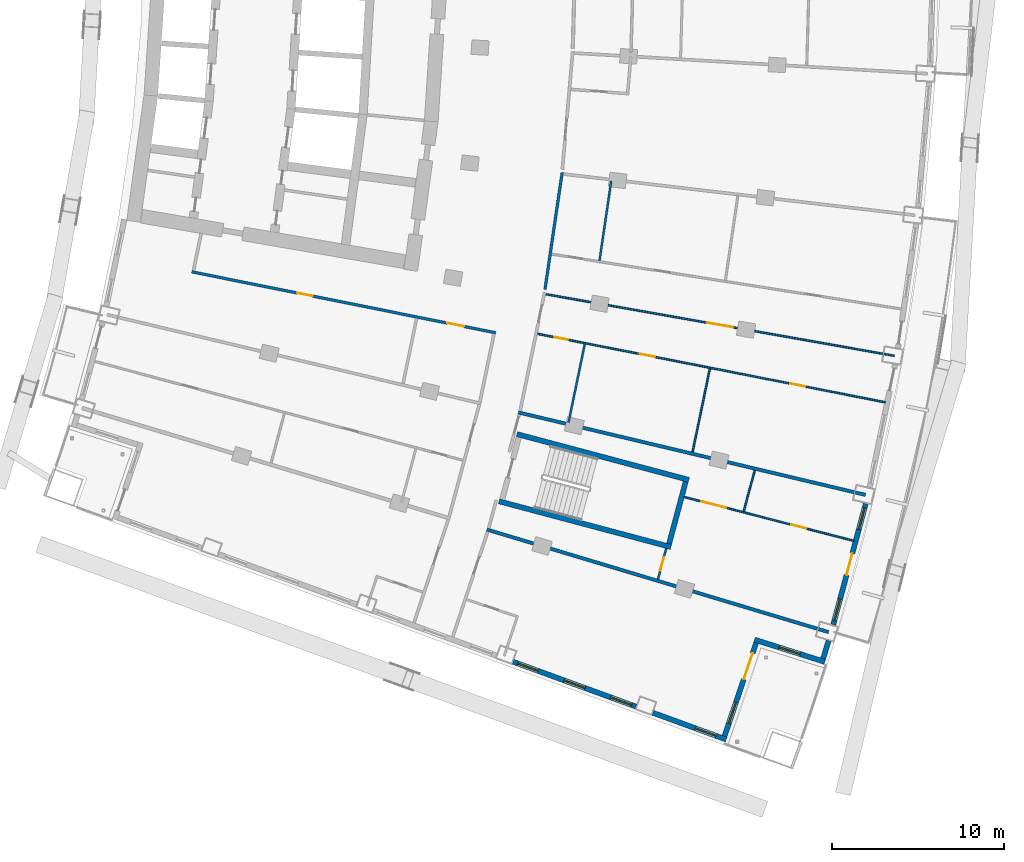
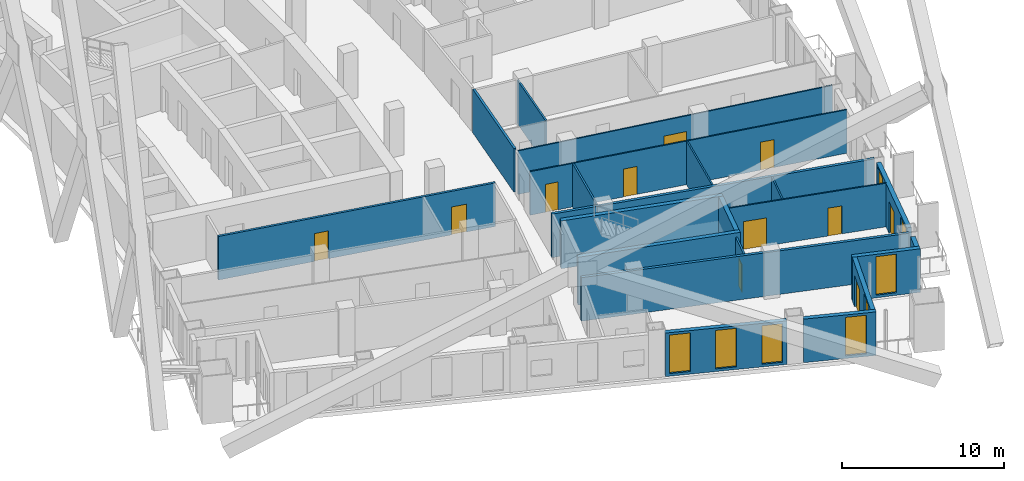
# One storey, part 15 of 26: 21 walls, 11 doors, 8 windows, 19 openings.
"""IFC4 building model written with IfcOpenShell, lengths in metres."""

from ifc_helpers import new_model, si_unit, direction, frame, frame_2d, origin, place, context, subcontext, project, spatial, rectangle, extrude, material, layer, layer_set, type_object, element, fill, save


model = new_model("IFC4")

# Units and contexts
model_context = context("Model", 3, precision=1e-05, world=origin(), true_north=direction((0.0, 1.0)))
body_context = subcontext(model_context, "Body", "Model", "MODEL_VIEW")
ifc_project = project(units=[si_unit("LENGTHUNIT", "METRE"), si_unit("AREAUNIT", "SQUARE_METRE"), si_unit("VOLUMEUNIT", "CUBIC_METRE"), si_unit("PLANEANGLEUNIT", "RADIAN"), si_unit("MASSUNIT", "GRAM", prefix="KILO")], contexts=[model_context])

# Site, building, storey
site_placement = place(None, origin())
site = spatial("IfcSite", under=ifc_project, at=site_placement, CompositionType="ELEMENT")
building_placement = place(site_placement, origin())
building = spatial("IfcBuilding", under=site, at=building_placement, Name="Alderwake Tower", CompositionType="ELEMENT")
storey_placement = place(building_placement, frame((0.0, 0.0, 82.39990234375)))
storey = spatial("IfcBuildingStorey", under=building, at=storey_placement, Name="L19", CompositionType="ELEMENT", Elevation=82.39990234375)

# Walls
ifc_material_1 = material(Name="Concrete C70/85", Category="concrete")
ifc_layer_1 = layer(ifc_material_1, 0.300048828125)
ifc_layer_set_1 = layer_set([ifc_layer_1], Name="Core wall stair enclosure 300 C70-85")
wall_type_1 = type_object("IfcWallType", Name="Core wall stair enclosure 300 C70-85", PredefinedType="SHEAR", material=ifc_layer_set_1)
for number, where, z_axis, x_axis, name in (
    (1, (37.75390625, 31.731201171875, 0.0), (0.0, 0.0, 1.0), (0.966309214305, -0.257383958996, 0.0), "Core wall CW.086"),
    (2, (36.71142578125, 27.817626953125, 0.0), (0.0, 0.0, 1.0), (0.966309214305, -0.257383958996, 0.0), "Core wall CW.088"),
):
    element("IfcWall", number, at=place(storey_placement, frame(where, z_axis=z_axis, x_axis=x_axis)), inside=storey, type_object=wall_type_1, Name=name, PredefinedType="SHEAR", context=body_context, shape_type="SweptSolid", body=[
        extrude(rectangle(XDim=10.360107421875, YDim=0.300048828125, at=frame_2d((5.18017578125, 0.0))), origin(), (0.0, 0.0, 1.0), 3.60009765625),
    ])
wall_1_placement = place(storey_placement, frame((46.6162109375, 25.334716796875, 0.0), z_axis=(0.0, 0.0, 1.0), x_axis=(0.257366821694, 0.966313778796, 0.0)))
element("IfcWall", 3, at=wall_1_placement, inside=storey, type_object=wall_type_1, Name="Core wall CW.085", PredefinedType="SHEAR", context=body_context, shape_type="SweptSolid", body=[
    extrude(rectangle(XDim=3.749755859375, YDim=0.300048828125, at=frame_2d((1.875, 0.0))), origin(), (0.0, 0.0, 1.0), 3.60009765625),
])

# Wall, openings, doors
ifc_material_2 = material(Name="Gypsum board on metal studs, rated")
ifc_layer_2 = layer(ifc_material_2, 0.159912109375)
ifc_layer_set_2 = layer_set([ifc_layer_2], Name="Corridor wall 160")
wall_type_2 = type_object("IfcWallType", Name="Corridor wall 160", PredefinedType="PARTITIONING", material=ifc_layer_set_2)
wall_2_placement = place(storey_placement, frame((36.513427734375, 37.63427734375, 0.0), z_axis=(0.0, 0.0, 1.0), x_axis=(-0.980470254867, 0.1966674333, 0.0)))
wall_2 = element("IfcWall", 4, at=wall_2_placement, inside=storey, type_object=wall_type_2, Name="WL/L19/W17", PredefinedType="PARTITIONING", context=body_context, shape_type="SweptSolid", body=[
    extrude(rectangle(XDim=18.053466796875, YDim=0.159912109375, at=frame_2d((9.02685546875, 0.0))), origin(), (0.0, 0.0, 1.0), 3.280029296875),
])
opening_1_placement = place(wall_2_placement, frame((10.876708984375, 0.0, 0.0)))
opening_1 = element("IfcOpeningElement", 5, at=opening_1_placement, cuts=wall_2, Name="Opening R05-SBS1", PredefinedType="OPENING", context=body_context, shape_type="SweptSolid", body=[
    extrude(rectangle(XDim=0.89990234375, YDim=2.10009765625, at=frame_2d((0.449951171875, 1.050048828125))), frame((0.0, 0.08984375, 0.0), z_axis=(0.0, -1.0, 0.0), x_axis=(1.0, 0.0, 0.0)), (0.0, 0.0, 1.0), 0.179931640625),
])
opening_2_placement = place(wall_2_placement, frame((1.880615234375, 0.0, 0.0)))
opening_2 = element("IfcOpeningElement", 6, at=opening_2_placement, cuts=wall_2, Name="Opening R05-SBS2", PredefinedType="OPENING", context=body_context, shape_type="SweptSolid", body=[
    extrude(rectangle(XDim=1.0, YDim=2.10009765625, at=frame_2d((0.5, 1.050048828125))), frame((0.0, 0.08984375, 0.0), z_axis=(0.0, -1.0, 0.0), x_axis=(1.0, 0.0, 0.0)), (0.0, 0.0, 1.0), 0.179931640625),
])
ifc_material_3 = material(Name="Steel-framed fire door leaf", Category="steel")
door_type_1 = type_object("IfcDoorType", Name="Plant room door 1000 fire-rated", OperationType="SINGLE_SWING_LEFT", PredefinedType="DOOR", material=ifc_material_3)
door_1_placement = place(opening_2_placement, origin())
door_1 = element("IfcDoor", 7, at=door_1_placement, inside=storey, type_object=door_type_1, Name="DR/L19/SBS2", OperationType="SINGLE_SWING_LEFT", OverallHeight=2.10009765625, OverallWidth=1.0, PredefinedType="DOOR", context=body_context, shape_type="SweptSolid", body=[
    extrude(rectangle(XDim=1.0, YDim=2.10009765625, at=frame_2d((0.5, 1.050048828125))), frame((0.0, 0.02490234375, 0.0), z_axis=(0.0, -1.0, 0.0), x_axis=(1.0, 0.0, 0.0)), (0.0, 0.0, 1.0), 0.050048828125),
])
fill(opening_2, door_1)
ifc_material_4 = material(Name="Painted timber leaf", Category="wood")
door_type_2 = type_object("IfcDoorType", Name="Room door 900", OperationType="SINGLE_SWING_LEFT", PredefinedType="DOOR", material=ifc_material_4)
door_2_placement = place(opening_1_placement, origin())
door_2 = element("IfcDoor", 8, at=door_2_placement, inside=storey, type_object=door_type_2, Name="DR/L19/SBS1", OperationType="SINGLE_SWING_LEFT", OverallHeight=2.10009765625, OverallWidth=0.89990234375, PredefinedType="DOOR", context=body_context, shape_type="SweptSolid", body=[
    extrude(rectangle(XDim=0.89990234375, YDim=2.10009765625, at=frame_2d((0.449951171875, 1.050048828125))), frame((0.0, 0.02490234375, 0.0), z_axis=(0.0, -1.0, 0.0), x_axis=(1.0, 0.0, 0.0)), (0.0, 0.0, 1.0), 0.050048828125),
])
fill(opening_1, door_2)

# Walls
wall_3_placement = place(storey_placement, frame((39.38671875, 40.160888671875, 0.0), z_axis=(0.0, 0.0, 1.0), x_axis=(0.145535848078, 0.989352978933, 0.0)))
element("IfcWall", 9, at=wall_3_placement, inside=storey, type_object=wall_type_2, Name="WL/L19/W34", PredefinedType="PARTITIONING", context=body_context, shape_type="SweptSolid", body=[
    extrude(rectangle(XDim=6.884521484375, YDim=0.159912109375, at=frame_2d((3.4423828125, 0.0))), origin(), (0.0, 0.0, 1.0), 3.280029296875),
])
ifc_material_5 = material(Name="Precast concrete C50/60 spandrel panel", Category="concrete")
ifc_layer_3 = layer(ifc_material_5, 0.300048828125)
ifc_layer_set_3 = layer_set([ifc_layer_3], Name="External wall EW1 Precast concrete C50/60 spandrel")
wall_type_3 = type_object("IfcWallType", Name="External wall EW1 Precast concrete C50/60 spandrel", PredefinedType="SOLIDWALL", material=ifc_layer_set_3)
wall_4_placement = place(storey_placement, frame((55.587890625, 18.65185546875, 0.0), z_axis=(0.0, 0.0, 1.0), x_axis=(0.294384726771, 0.955686995121, 0.0)))
element("IfcWall", 10, at=wall_4_placement, inside=storey, type_object=wall_type_3, Name="External wall 11", PredefinedType="SOLIDWALL", context=body_context, shape_type="SweptSolid", body=[
    extrude(rectangle(XDim=1.090576171875, YDim=0.300048828125, at=frame_2d((0.54541015625, 0.0))), origin(), (0.0, 0.0, 1.0), 3.280029296875),
])

# Wall, openings, door, windows
wall_5_placement = place(storey_placement, frame((56.18017578125, 20.635498046875, 0.0), z_axis=(0.0, 0.0, 1.0), x_axis=(0.259478431082, 0.965748903082, 0.0)))
wall_5 = element("IfcWall", 11, at=wall_5_placement, inside=storey, type_object=wall_type_3, Name="External wall 12", PredefinedType="SOLIDWALL", context=body_context, shape_type="SweptSolid", body=[
    extrude(rectangle(XDim=7.287109375, YDim=0.300048828125, at=frame_2d((3.6435546875, 0.0))), origin(), (0.0, 0.0, 1.0), 3.280029296875),
])
opening_3_placement = place(wall_5_placement, frame((0.23681640625, 0.0, 0.199951171875)))
opening_3 = element("IfcOpeningElement", 12, at=opening_3_placement, cuts=wall_5, Name="Opening W1", PredefinedType="OPENING", context=body_context, shape_type="SweptSolid", body=[
    extrude(rectangle(XDim=1.300048828125, YDim=2.89990234375, at=frame_2d((0.64990234375, 1.449951171875))), frame((0.0, 0.159912109375, 0.0), z_axis=(0.0, -1.0, 0.0), x_axis=(1.0, 0.0, 0.0)), (0.0, 0.0, 1.0), 0.320068359375),
])
opening_4_placement = place(wall_5_placement, frame((2.99365234375, 0.0, 0.0)))
opening_4 = element("IfcOpeningElement", 13, at=opening_4_placement, cuts=wall_5, Name="Opening D03", PredefinedType="OPENING", context=body_context, shape_type="SweptSolid", body=[
    extrude(rectangle(XDim=1.300048828125, YDim=2.39990234375, at=frame_2d((0.64990234375, 1.199951171875))), frame((0.0, 0.159912109375, 0.0), z_axis=(0.0, -1.0, 0.0), x_axis=(1.0, 0.0, 0.0)), (0.0, 0.0, 1.0), 0.320068359375),
])
opening_5_placement = place(wall_5_placement, frame((5.75048828125, 0.0, 0.199951171875)))
opening_5 = element("IfcOpeningElement", 14, at=opening_5_placement, cuts=wall_5, Name="Opening W1", PredefinedType="OPENING", context=body_context, shape_type="SweptSolid", body=[
    extrude(rectangle(XDim=1.300048828125, YDim=2.89990234375, at=frame_2d((0.64990234375, 1.449951171875))), frame((0.0, 0.159912109375, 0.0), z_axis=(0.0, -1.0, 0.0), x_axis=(1.0, 0.0, 0.0)), (0.0, 0.0, 1.0), 0.320068359375),
])
ifc_material_6 = material(Name="Bronze tinted glass in aluminium frame", Category="aluminium")
door_type_3 = type_object("IfcDoorType", Name="Balcony door BD sliding", OperationType="SLIDING_TO_LEFT", PredefinedType="DOOR", material=ifc_material_6)
door_3_placement = place(opening_4_placement, origin())
door_3 = element("IfcDoor", 15, at=door_3_placement, inside=storey, type_object=door_type_3, Name="Door D03", OperationType="SLIDING_TO_LEFT", OverallHeight=2.39990234375, OverallWidth=1.300048828125, PredefinedType="DOOR", context=body_context, shape_type="SweptSolid", body=[
    extrude(rectangle(XDim=1.300048828125, YDim=2.39990234375, at=frame_2d((0.64990234375, 1.199951171875))), frame((0.0, 0.02490234375, 0.0), z_axis=(0.0, -1.0, 0.0), x_axis=(1.0, 0.0, 0.0)), (0.0, 0.0, 1.0), 0.050048828125),
])
fill(opening_4, door_3)
ifc_material_7 = material(Name="Bronze tinted glass in aluminium frame", Category="aluminium")
window_type = type_object("IfcWindowType", Name="Window W1 tall fixed and vent", PartitioningType="DOUBLE_PANEL_VERTICAL", PredefinedType="WINDOW", material=ifc_material_7)
window_1_placement = place(opening_3_placement, origin())
window_1 = element("IfcWindow", 16, at=window_1_placement, inside=storey, type_object=window_type, Name="Window W1 tall fixed and vent", OverallHeight=2.89990234375, OverallWidth=1.300048828125, PartitioningType="DOUBLE_PANEL_VERTICAL", PredefinedType="WINDOW", context=body_context, shape_type="SweptSolid", body=[
    extrude(rectangle(XDim=1.300048828125, YDim=2.89990234375, at=frame_2d((0.64990234375, 1.449951171875))), frame((0.0, 0.030029296875, 0.0), z_axis=(0.0, -1.0, 0.0), x_axis=(1.0, 0.0, 0.0)), (0.0, 0.0, 1.0), 0.06005859375),
])
fill(opening_3, window_1)
window_2_placement = place(opening_5_placement, origin())
window_2 = element("IfcWindow", 17, at=window_2_placement, inside=storey, type_object=window_type, Name="Window W1 tall fixed and vent", OverallHeight=2.89990234375, OverallWidth=1.300048828125, PartitioningType="DOUBLE_PANEL_VERTICAL", PredefinedType="WINDOW", context=body_context, shape_type="SweptSolid", body=[
    extrude(rectangle(XDim=1.300048828125, YDim=2.89990234375, at=frame_2d((0.64990234375, 1.449951171875))), frame((0.0, 0.030029296875, 0.0), z_axis=(0.0, -1.0, 0.0), x_axis=(1.0, 0.0, 0.0)), (0.0, 0.0, 1.0), 0.06005859375),
])
fill(opening_5, window_2)

# Wall, openings, windows
ifc_material_8 = material(Name="Bronze metal cladding on lightweight framing")
ifc_layer_4 = layer(ifc_material_8, 0.300048828125)
ifc_layer_set_4 = layer_set([ifc_layer_4], Name="External wall EW2 bronze metal cladding")
wall_type_4 = type_object("IfcWallType", Name="External wall EW2 bronze metal cladding", PredefinedType="SOLIDWALL", material=ifc_layer_set_4)
wall_6_placement = place(storey_placement, frame((37.534423828125, 18.46923828125, 0.0), z_axis=(0.0, 0.0, 1.0), x_axis=(0.939373225656, -0.342896402606, 0.0)))
wall_6 = element("IfcWall", 18, at=wall_6_placement, inside=storey, type_object=wall_type_4, Name="External wall 7", PredefinedType="SOLIDWALL", context=body_context, shape_type="SweptSolid", body=[
    extrude(rectangle(XDim=7.612548828125, YDim=0.300048828125, at=frame_2d((3.80615234375, 0.0))), origin(), (0.0, 0.0, 1.0), 3.280029296875),
])
opening_6_placement = place(wall_6_placement, frame((0.267333984375, 0.0, 0.199951171875)))
opening_6 = element("IfcOpeningElement", 19, at=opening_6_placement, cuts=wall_6, Name="Opening W1", PredefinedType="OPENING", context=body_context, shape_type="SweptSolid", body=[
    extrude(rectangle(XDim=1.300048828125, YDim=2.89990234375, at=frame_2d((0.64990234375, 1.449951171875))), frame((0.0, 0.159912109375, 0.0), z_axis=(0.0, -1.0, 0.0), x_axis=(1.0, 0.0, 0.0)), (0.0, 0.0, 1.0), 0.320068359375),
])
opening_7_placement = place(wall_6_placement, frame((3.15625, 0.0, 0.199951171875)))
opening_7 = element("IfcOpeningElement", 20, at=opening_7_placement, cuts=wall_6, Name="Opening W1", PredefinedType="OPENING", context=body_context, shape_type="SweptSolid", body=[
    extrude(rectangle(XDim=1.300048828125, YDim=2.89990234375, at=frame_2d((0.64990234375, 1.449951171875))), frame((0.0, 0.159912109375, 0.0), z_axis=(0.0, -1.0, 0.0), x_axis=(1.0, 0.0, 0.0)), (0.0, 0.0, 1.0), 0.320068359375),
])
opening_8_placement = place(wall_6_placement, frame((6.045166015625, 0.0, 0.199951171875)))
opening_8 = element("IfcOpeningElement", 21, at=opening_8_placement, cuts=wall_6, Name="Opening W1", PredefinedType="OPENING", context=body_context, shape_type="SweptSolid", body=[
    extrude(rectangle(XDim=1.300048828125, YDim=2.89990234375, at=frame_2d((0.64990234375, 1.449951171875))), frame((0.0, 0.159912109375, 0.0), z_axis=(0.0, -1.0, 0.0), x_axis=(1.0, 0.0, 0.0)), (0.0, 0.0, 1.0), 0.320068359375),
])
window_3_placement = place(opening_6_placement, origin())
window_3 = element("IfcWindow", 22, at=window_3_placement, inside=storey, type_object=window_type, Name="Window W1 tall fixed and vent", OverallHeight=2.89990234375, OverallWidth=1.300048828125, PartitioningType="DOUBLE_PANEL_VERTICAL", PredefinedType="WINDOW", context=body_context, shape_type="SweptSolid", body=[
    extrude(rectangle(XDim=1.300048828125, YDim=2.89990234375, at=frame_2d((0.64990234375, 1.449951171875))), frame((0.0, 0.030029296875, 0.0), z_axis=(0.0, -1.0, 0.0), x_axis=(1.0, 0.0, 0.0)), (0.0, 0.0, 1.0), 0.06005859375),
])
fill(opening_6, window_3)
window_4_placement = place(opening_7_placement, origin())
window_4 = element("IfcWindow", 23, at=window_4_placement, inside=storey, type_object=window_type, Name="Window W1 tall fixed and vent", OverallHeight=2.89990234375, OverallWidth=1.300048828125, PartitioningType="DOUBLE_PANEL_VERTICAL", PredefinedType="WINDOW", context=body_context, shape_type="SweptSolid", body=[
    extrude(rectangle(XDim=1.300048828125, YDim=2.89990234375, at=frame_2d((0.64990234375, 1.449951171875))), frame((0.0, 0.030029296875, 0.0), z_axis=(0.0, -1.0, 0.0), x_axis=(1.0, 0.0, 0.0)), (0.0, 0.0, 1.0), 0.06005859375),
])
fill(opening_7, window_4)
window_5_placement = place(opening_8_placement, origin())
window_5 = element("IfcWindow", 24, at=window_5_placement, inside=storey, type_object=window_type, Name="Window W1 tall fixed and vent", OverallHeight=2.89990234375, OverallWidth=1.300048828125, PartitioningType="DOUBLE_PANEL_VERTICAL", PredefinedType="WINDOW", context=body_context, shape_type="SweptSolid", body=[
    extrude(rectangle(XDim=1.300048828125, YDim=2.89990234375, at=frame_2d((0.64990234375, 1.449951171875))), frame((0.0, 0.030029296875, 0.0), z_axis=(0.0, -1.0, 0.0), x_axis=(1.0, 0.0, 0.0)), (0.0, 0.0, 1.0), 0.06005859375),
])
fill(opening_8, window_5)

# Wall, opening, window
wall_7_placement = place(storey_placement, frame((45.675537109375, 15.49755859375, 0.0), z_axis=(0.0, 0.0, 1.0), x_axis=(0.939362271598, -0.342926410032, 0.0)))
wall_7 = element("IfcWall", 25, at=wall_7_placement, inside=storey, type_object=wall_type_4, Name="External wall 8", PredefinedType="SOLIDWALL", context=body_context, shape_type="SweptSolid", body=[
    extrude(rectangle(XDim=4.537841796875, YDim=0.300048828125, at=frame_2d((2.26904296875, 0.0))), origin(), (0.0, 0.0, 1.0), 3.280029296875),
])
opening_9_placement = place(wall_7_placement, frame((2.62158203125, 0.0, 0.199951171875)))
opening_9 = element("IfcOpeningElement", 26, at=opening_9_placement, cuts=wall_7, Name="Opening W1", PredefinedType="OPENING", context=body_context, shape_type="SweptSolid", body=[
    extrude(rectangle(XDim=1.300048828125, YDim=2.89990234375, at=frame_2d((0.64990234375, 1.449951171875))), frame((0.0, 0.159912109375, 0.0), z_axis=(0.0, -1.0, 0.0), x_axis=(1.0, 0.0, 0.0)), (0.0, 0.0, 1.0), 0.320068359375),
])
window_6_placement = place(opening_9_placement, origin())
window_6 = element("IfcWindow", 27, at=window_6_placement, inside=storey, type_object=window_type, Name="Window W1 tall fixed and vent", OverallHeight=2.89990234375, OverallWidth=1.300048828125, PartitioningType="DOUBLE_PANEL_VERTICAL", PredefinedType="WINDOW", context=body_context, shape_type="SweptSolid", body=[
    extrude(rectangle(XDim=1.300048828125, YDim=2.89990234375, at=frame_2d((0.64990234375, 1.449951171875))), frame((0.0, 0.030029296875, 0.0), z_axis=(0.0, -1.0, 0.0), x_axis=(1.0, 0.0, 0.0)), (0.0, 0.0, 1.0), 0.06005859375),
])
fill(opening_9, window_6)

# Wall, openings, door, window
wall_8_placement = place(storey_placement, frame((49.845458984375, 14.135009765625, 0.0), z_axis=(0.0, 0.0, 1.0), x_axis=(0.320869198021, 0.94712351769, 0.0)))
wall_8 = element("IfcWall", 28, at=wall_8_placement, inside=storey, type_object=wall_type_4, Name="External wall 9", PredefinedType="SOLIDWALL", context=body_context, shape_type="SweptSolid", body=[
    extrude(rectangle(XDim=5.7392578125, YDim=0.300048828125, at=frame_2d((2.86962890625, 0.0))), origin(), (0.0, 0.0, 1.0), 3.280029296875),
])
opening_10_placement = place(wall_8_placement, frame((0.784912109375, 0.0, 0.199951171875)))
opening_10 = element("IfcOpeningElement", 29, at=opening_10_placement, cuts=wall_8, Name="Opening W1", PredefinedType="OPENING", context=body_context, shape_type="SweptSolid", body=[
    extrude(rectangle(XDim=1.300048828125, YDim=2.89990234375, at=frame_2d((0.64990234375, 1.449951171875))), frame((0.0, 0.159912109375, 0.0), z_axis=(0.0, -1.0, 0.0), x_axis=(1.0, 0.0, 0.0)), (0.0, 0.0, 1.0), 0.320068359375),
])
opening_11_placement = place(wall_8_placement, frame((3.50439453125, 0.0, 0.0)))
opening_11 = element("IfcOpeningElement", 30, at=opening_11_placement, cuts=wall_8, Name="Opening D02", PredefinedType="OPENING", context=body_context, shape_type="SweptSolid", body=[
    extrude(rectangle(XDim=1.60009765625, YDim=2.39990234375, at=frame_2d((0.800048828125, 1.199951171875))), frame((0.0, 0.159912109375, 0.0), z_axis=(0.0, -1.0, 0.0), x_axis=(1.0, 0.0, 0.0)), (0.0, 0.0, 1.0), 0.320068359375),
])
ifc_material_9 = material(Name="Bronze tinted glass in aluminium frame", Category="aluminium")
door_type_4 = type_object("IfcDoorType", Name="Terrace door TD sliding", OperationType="SLIDING_TO_LEFT", PredefinedType="DOOR", material=ifc_material_9)
door_4_placement = place(opening_11_placement, origin())
door_4 = element("IfcDoor", 31, at=door_4_placement, inside=storey, type_object=door_type_4, Name="Door D02", OperationType="SLIDING_TO_LEFT", OverallHeight=2.39990234375, OverallWidth=1.60009765625, PredefinedType="DOOR", context=body_context, shape_type="SweptSolid", body=[
    extrude(rectangle(XDim=1.60009765625, YDim=2.39990234375, at=frame_2d((0.800048828125, 1.199951171875))), frame((0.0, 0.02490234375, 0.0), z_axis=(0.0, -1.0, 0.0), x_axis=(1.0, 0.0, 0.0)), (0.0, 0.0, 1.0), 0.050048828125),
])
fill(opening_11, door_4)
window_7_placement = place(opening_10_placement, origin())
window_7 = element("IfcWindow", 32, at=window_7_placement, inside=storey, type_object=window_type, Name="Window W1 tall fixed and vent", OverallHeight=2.89990234375, OverallWidth=1.300048828125, PartitioningType="DOUBLE_PANEL_VERTICAL", PredefinedType="WINDOW", context=body_context, shape_type="SweptSolid", body=[
    extrude(rectangle(XDim=1.300048828125, YDim=2.89990234375, at=frame_2d((0.64990234375, 1.449951171875))), frame((0.0, 0.030029296875, 0.0), z_axis=(0.0, -1.0, 0.0), x_axis=(1.0, 0.0, 0.0)), (0.0, 0.0, 1.0), 0.06005859375),
])
fill(opening_10, window_7)

# Wall, opening, window
wall_9_placement = place(storey_placement, frame((51.592041015625, 19.758056640625, 0.0), z_axis=(0.0, 0.0, 1.0), x_axis=(0.95345886453, -0.301523122911, 0.0)))
wall_9 = element("IfcWall", 33, at=wall_9_placement, inside=storey, type_object=wall_type_4, Name="External wall 10", PredefinedType="SOLIDWALL", context=body_context, shape_type="SweptSolid", body=[
    extrude(rectangle(XDim=4.294677734375, YDim=0.300048828125, at=frame_2d((2.1474609375, 0.0))), origin(), (0.0, 0.0, 1.0), 3.280029296875),
])
opening_12_placement = place(wall_9_placement, frame((1.497314453125, 0.0, 0.199951171875)))
opening_12 = element("IfcOpeningElement", 34, at=opening_12_placement, cuts=wall_9, Name="Opening W1", PredefinedType="OPENING", context=body_context, shape_type="SweptSolid", body=[
    extrude(rectangle(XDim=1.300048828125, YDim=2.89990234375, at=frame_2d((0.64990234375, 1.449951171875))), frame((0.0, 0.159912109375, 0.0), z_axis=(0.0, -1.0, 0.0), x_axis=(1.0, 0.0, 0.0)), (0.0, 0.0, 1.0), 0.320068359375),
])
window_8_placement = place(opening_12_placement, origin())
window_8 = element("IfcWindow", 35, at=window_8_placement, inside=storey, type_object=window_type, Name="Window W1 tall fixed and vent", OverallHeight=2.89990234375, OverallWidth=1.300048828125, PartitioningType="DOUBLE_PANEL_VERTICAL", PredefinedType="WINDOW", context=body_context, shape_type="SweptSolid", body=[
    extrude(rectangle(XDim=1.300048828125, YDim=2.89990234375, at=frame_2d((0.64990234375, 1.449951171875))), frame((0.0, 0.030029296875, 0.0), z_axis=(0.0, -1.0, 0.0), x_axis=(1.0, 0.0, 0.0)), (0.0, 0.0, 1.0), 0.06005859375),
])
fill(opening_12, window_8)

# Walls
ifc_material_10 = material(Name="Dense block masonry wall", Category="masonry")
ifc_layer_5 = layer(ifc_material_10, 0.199951171875)
ifc_layer_set_5 = layer_set([ifc_layer_5], Name="Party wall 200")
wall_type_5 = type_object("IfcWallType", Name="Party wall 200", PredefinedType="SOLIDWALL", material=ifc_layer_set_5)
wall_10_placement = place(storey_placement, frame((36.00439453125, 26.1708984375, 0.0), z_axis=(0.0, 0.0, 1.0), x_axis=(0.957776151967, -0.287514943479, 0.0)))
element("IfcWall", 36, at=wall_10_placement, inside=storey, type_object=wall_type_5, Name="WL/L19/W05", PredefinedType="SOLIDWALL", context=body_context, shape_type="SweptSolid", body=[
    extrude(rectangle(XDim=20.781005859375, YDim=0.199951171875, at=frame_2d((10.390625, 0.0))), origin(), (0.0, 0.0, 1.0), 3.280029296875),
])
wall_11_placement = place(storey_placement, frame((37.839111328125, 32.994384765625, 0.0), z_axis=(0.0, 0.0, 1.0), x_axis=(0.972915151152, -0.231162515686, 0.0)))
element("IfcWall", 37, at=wall_11_placement, inside=storey, type_object=wall_type_5, Name="WL/L19/W06", PredefinedType="SOLIDWALL", context=body_context, shape_type="SweptSolid", body=[
    extrude(rectangle(XDim=20.779541015625, YDim=0.199951171875, at=frame_2d((10.3896484375, 0.0))), origin(), (0.0, 0.0, 1.0), 3.280029296875),
])

# Wall, openings, doors
ifc_material_11 = material(Name="Gypsum board on metal studs")
ifc_layer_6 = layer(ifc_material_11, 0.10009765625)
ifc_layer_set_6 = layer_set([ifc_layer_6], Name="Unit partition 100")
wall_type_6 = type_object("IfcWallType", Name="Unit partition 100", PredefinedType="PARTITIONING", material=ifc_layer_set_6)
wall_12_placement = place(storey_placement, frame((59.222900390625, 33.58203125, 0.0), z_axis=(0.0, 0.0, 1.0), x_axis=(-0.981155808083, 0.193218219287, 0.0)))
wall_12 = element("IfcWall", 38, at=wall_12_placement, inside=storey, type_object=wall_type_6, Name="WL/L19/W67", PredefinedType="PARTITIONING", context=body_context, shape_type="SweptSolid", body=[
    extrude(rectangle(XDim=20.662841796875, YDim=0.10009765625, at=frame_2d((10.33154296875, 0.0))), origin(), (0.0, 0.0, 1.0), 3.280029296875),
])
opening_13_placement = place(wall_12_placement, frame((13.681396484375, 0.0, 0.0)))
opening_13 = element("IfcOpeningElement", 39, at=opening_13_placement, cuts=wall_12, Name="Opening R05-U05.1", PredefinedType="OPENING", context=body_context, shape_type="SweptSolid", body=[
    extrude(rectangle(XDim=0.89990234375, YDim=2.10009765625, at=frame_2d((0.449951171875, 1.050048828125))), frame((0.0, 0.06005859375, 0.0), z_axis=(0.0, -1.0, 0.0), x_axis=(1.0, 0.0, 0.0)), (0.0, 0.0, 1.0), 0.1201171875),
])
opening_14_placement = place(wall_12_placement, frame((18.853515625, 0.0, 0.0)))
opening_14 = element("IfcOpeningElement", 40, at=opening_14_placement, cuts=wall_12, Name="Opening R05-U05.3", PredefinedType="OPENING", context=body_context, shape_type="SweptSolid", body=[
    extrude(rectangle(XDim=0.800048828125, YDim=2.10009765625, at=frame_2d((0.39990234375, 1.050048828125))), frame((0.0, 0.06005859375, 0.0), z_axis=(0.0, -1.0, 0.0), x_axis=(1.0, 0.0, 0.0)), (0.0, 0.0, 1.0), 0.1201171875),
])
opening_15_placement = place(wall_12_placement, frame((4.759765625, 0.0, 0.0)))
opening_15 = element("IfcOpeningElement", 41, at=opening_15_placement, cuts=wall_12, Name="Opening R05-U05.4", PredefinedType="OPENING", context=body_context, shape_type="SweptSolid", body=[
    extrude(rectangle(XDim=0.89990234375, YDim=2.10009765625, at=frame_2d((0.449951171875, 1.050048828125))), frame((0.0, 0.06005859375, 0.0), z_axis=(0.0, -1.0, 0.0), x_axis=(1.0, 0.0, 0.0)), (0.0, 0.0, 1.0), 0.1201171875),
])
ifc_material_12 = material(Name="Painted timber leaf", Category="wood")
door_type_5 = type_object("IfcDoorType", Name="Bathroom door 800", OperationType="SINGLE_SWING_LEFT", PredefinedType="DOOR", material=ifc_material_12)
door_5_placement = place(opening_14_placement, origin())
door_5 = element("IfcDoor", 42, at=door_5_placement, inside=storey, type_object=door_type_5, Name="DR/L19/U05.3", OperationType="SINGLE_SWING_LEFT", OverallHeight=2.10009765625, OverallWidth=0.800048828125, PredefinedType="DOOR", context=body_context, shape_type="SweptSolid", body=[
    extrude(rectangle(XDim=0.800048828125, YDim=2.10009765625, at=frame_2d((0.39990234375, 1.050048828125))), frame((0.0, 0.02490234375, 0.0), z_axis=(0.0, -1.0, 0.0), x_axis=(1.0, 0.0, 0.0)), (0.0, 0.0, 1.0), 0.050048828125),
])
fill(opening_14, door_5)
door_6_placement = place(opening_13_placement, origin())
door_6 = element("IfcDoor", 43, at=door_6_placement, inside=storey, type_object=door_type_2, Name="DR/L19/U05.1", OperationType="SINGLE_SWING_LEFT", OverallHeight=2.10009765625, OverallWidth=0.89990234375, PredefinedType="DOOR", context=body_context, shape_type="SweptSolid", body=[
    extrude(rectangle(XDim=0.89990234375, YDim=2.10009765625, at=frame_2d((0.449951171875, 1.050048828125))), frame((0.0, 0.02490234375, 0.0), z_axis=(0.0, -1.0, 0.0), x_axis=(1.0, 0.0, 0.0)), (0.0, 0.0, 1.0), 0.050048828125),
])
fill(opening_13, door_6)
door_7_placement = place(opening_15_placement, origin())
door_7 = element("IfcDoor", 44, at=door_7_placement, inside=storey, type_object=door_type_2, Name="DR/L19/U05.4", OperationType="SINGLE_SWING_LEFT", OverallHeight=2.10009765625, OverallWidth=0.89990234375, PredefinedType="DOOR", context=body_context, shape_type="SweptSolid", body=[
    extrude(rectangle(XDim=0.89990234375, YDim=2.10009765625, at=frame_2d((0.449951171875, 1.050048828125))), frame((0.0, 0.02490234375, 0.0), z_axis=(0.0, -1.0, 0.0), x_axis=(1.0, 0.0, 0.0)), (0.0, 0.0, 1.0), 0.050048828125),
])
fill(opening_15, door_7)

wall_13_placement = place(storey_placement, frame((57.386962890625, 25.511962890625, 0.0), z_axis=(0.0, 0.0, 1.0), x_axis=(-0.968172383403, 0.250284310368, 0.0)))
wall_13 = element("IfcWall", 45, at=wall_13_placement, inside=storey, type_object=wall_type_6, Name="WL/L19/W74", PredefinedType="PARTITIONING", context=body_context, shape_type="SweptSolid", body=[
    extrude(rectangle(XDim=10.212890625, YDim=0.10009765625, at=frame_2d((5.1064453125, 0.0))), origin(), (0.0, 0.0, 1.0), 3.280029296875),
])
opening_16_placement = place(wall_13_placement, frame((7.680908203125, 0.0, 0.0)))
opening_16 = element("IfcOpeningElement", 46, at=opening_16_placement, cuts=wall_13, Name="Opening R05-U01.2", PredefinedType="OPENING", context=body_context, shape_type="SweptSolid", body=[
    extrude(rectangle(XDim=1.5, YDim=2.10009765625, at=frame_2d((0.75, 1.050048828125))), frame((0.0, 0.06005859375, 0.0), z_axis=(0.0, -1.0, 0.0), x_axis=(1.0, 0.0, 0.0)), (0.0, 0.0, 1.0), 0.1201171875),
])
opening_17_placement = place(wall_13_placement, frame((2.874755859375, 0.0, 0.0)))
opening_17 = element("IfcOpeningElement", 47, at=opening_17_placement, cuts=wall_13, Name="Opening R05-U01.3", PredefinedType="OPENING", context=body_context, shape_type="SweptSolid", body=[
    extrude(rectangle(XDim=0.89990234375, YDim=2.10009765625, at=frame_2d((0.449951171875, 1.050048828125))), frame((0.0, 0.06005859375, 0.0), z_axis=(0.0, -1.0, 0.0), x_axis=(1.0, 0.0, 0.0)), (0.0, 0.0, 1.0), 0.1201171875),
])
ifc_material_13 = material(Name="Painted timber leaves", Category="wood")
door_type_6 = type_object("IfcDoorType", Name="Double leaf door 1500", OperationType="DOUBLE_DOOR_SINGLE_SWING", PredefinedType="DOOR", material=ifc_material_13)
door_8_placement = place(opening_16_placement, origin())
door_8 = element("IfcDoor", 48, at=door_8_placement, inside=storey, type_object=door_type_6, Name="DR/L19/U01.2", OperationType="DOUBLE_DOOR_SINGLE_SWING", OverallHeight=2.10009765625, OverallWidth=1.5, PredefinedType="DOOR", context=body_context, shape_type="SweptSolid", body=[
    extrude(rectangle(XDim=1.5, YDim=2.10009765625, at=frame_2d((0.75, 1.050048828125))), frame((0.0, 0.02490234375, 0.0), z_axis=(0.0, -1.0, 0.0), x_axis=(1.0, 0.0, 0.0)), (0.0, 0.0, 1.0), 0.050048828125),
])
fill(opening_16, door_8)
door_9_placement = place(opening_17_placement, origin())
door_9 = element("IfcDoor", 49, at=door_9_placement, inside=storey, type_object=door_type_2, Name="DR/L19/U01.3", OperationType="SINGLE_SWING_LEFT", OverallHeight=2.10009765625, OverallWidth=0.89990234375, PredefinedType="DOOR", context=body_context, shape_type="SweptSolid", body=[
    extrude(rectangle(XDim=0.89990234375, YDim=2.10009765625, at=frame_2d((0.449951171875, 1.050048828125))), frame((0.0, 0.02490234375, 0.0), z_axis=(0.0, -1.0, 0.0), x_axis=(1.0, 0.0, 0.0)), (0.0, 0.0, 1.0), 0.050048828125),
])
fill(opening_17, door_9)

# Walls
wall_14_placement = place(storey_placement, frame((47.984375, 30.68603515625, 0.0), z_axis=(0.0, 0.0, 1.0), x_axis=(0.202960188958, 0.97918699016, 0.0)))
element("IfcWall", 50, at=wall_14_placement, inside=storey, type_object=wall_type_6, Name="WL/L19/W76", PredefinedType="PARTITIONING", context=body_context, shape_type="SweptSolid", body=[
    extrude(rectangle(XDim=4.963134765625, YDim=0.10009765625, at=frame_2d((2.4814453125, 0.0))), origin(), (0.0, 0.0, 1.0), 3.280029296875),
])
wall_15_placement = place(storey_placement, frame((50.9619140625, 27.225341796875, 0.0), z_axis=(0.0, 0.0, 1.0), x_axis=(0.260249003849, 0.965541535096, 0.0)))
element("IfcWall", 51, at=wall_15_placement, inside=storey, type_object=wall_type_6, Name="WL/L19/W80", PredefinedType="PARTITIONING", context=body_context, shape_type="SweptSolid", body=[
    extrude(rectangle(XDim=2.478515625, YDim=0.10009765625, at=frame_2d((1.2392578125, 0.0))), origin(), (0.0, 0.0, 1.0), 3.280029296875),
])

# Wall, opening, door
wall_16_placement = place(storey_placement, frame((39.4267578125, 39.883056640625, 0.0), z_axis=(0.0, 0.0, 1.0), x_axis=(0.984736442892, -0.174052113003, 0.0)))
wall_16 = element("IfcWall", 52, at=wall_16_placement, inside=storey, type_object=wall_type_6, Name="WL/L19/W85", PredefinedType="PARTITIONING", context=body_context, shape_type="SweptSolid", body=[
    extrude(rectangle(XDim=20.620849609375, YDim=0.10009765625, at=frame_2d((10.310546875, 0.0))), origin(), (0.0, 0.0, 1.0), 3.280029296875),
])
opening_18_placement = place(wall_16_placement, frame((9.560302734375, 0.0, 0.0)))
opening_18 = element("IfcOpeningElement", 53, at=opening_18_placement, cuts=wall_16, Name="Opening R05-U05.8", PredefinedType="OPENING", context=body_context, shape_type="SweptSolid", body=[
    extrude(rectangle(XDim=1.5, YDim=2.10009765625, at=frame_2d((0.75, 1.050048828125))), frame((0.0, 0.06005859375, 0.0), z_axis=(0.0, -1.0, 0.0), x_axis=(1.0, 0.0, 0.0)), (0.0, 0.0, 1.0), 0.1201171875),
])
door_10_placement = place(opening_18_placement, origin())
door_10 = element("IfcDoor", 54, at=door_10_placement, inside=storey, type_object=door_type_6, Name="DR/L19/U05.8", OperationType="DOUBLE_DOOR_SINGLE_SWING", OverallHeight=2.10009765625, OverallWidth=1.5, PredefinedType="DOOR", context=body_context, shape_type="SweptSolid", body=[
    extrude(rectangle(XDim=1.5, YDim=2.10009765625, at=frame_2d((0.75, 1.050048828125))), frame((0.0, 0.02490234375, 0.0), z_axis=(0.0, -1.0, 0.0), x_axis=(1.0, 0.0, 0.0)), (0.0, 0.0, 1.0), 0.050048828125),
])
fill(opening_18, door_10)

# Walls
ifc_material_14 = material(Name="Moisture resistant gypsum board on metal studs")
ifc_layer_7 = layer(ifc_material_14, 0.1201171875)
ifc_layer_set_7 = layer_set([ifc_layer_7], Name="Wet room partition 120")
wall_type_7 = type_object("IfcWallType", Name="Wet room partition 120", PredefinedType="PARTITIONING", material=ifc_layer_set_7)
wall_17_placement = place(storey_placement, frame((40.75732421875, 32.402099609375, 0.0), z_axis=(0.0, 0.0, 1.0), x_axis=(0.202555554597, 0.97927077323, 0.0)))
element("IfcWall", 55, at=wall_17_placement, inside=storey, type_object=wall_type_7, Name="WL/L19/W54", PredefinedType="PARTITIONING", context=body_context, shape_type="SweptSolid", body=[
    extrude(rectangle(XDim=4.677734375, YDim=0.1201171875, at=frame_2d((2.3388671875, 0.0))), origin(), (0.0, 0.0, 1.0), 3.280029296875),
])
wall_18_placement = place(storey_placement, frame((42.562255859375, 41.83056640625, 0.0), z_axis=(0.0, 0.0, 1.0), x_axis=(0.145519444166, 0.989355391843, 0.0)))
element("IfcWall", 56, at=wall_18_placement, inside=storey, type_object=wall_type_7, Name="WL/L19/W56", PredefinedType="PARTITIONING", context=body_context, shape_type="SweptSolid", body=[
    extrude(rectangle(XDim=4.6943359375, YDim=0.1201171875, at=frame_2d((2.34716796875, 0.0))), origin(), (0.0, 0.0, 1.0), 3.280029296875),
])

# Wall, opening, door
wall_19_placement = place(storey_placement, frame((45.970947265625, 23.28369140625, 0.0), z_axis=(0.0, 0.0, 1.0), x_axis=(0.258764710752, 0.965940383497, 0.0)))
wall_19 = element("IfcWall", 57, at=wall_19_placement, inside=storey, type_object=wall_type_7, Name="WL/L19/W62", PredefinedType="PARTITIONING", context=body_context, shape_type="SweptSolid", body=[
    extrude(rectangle(XDim=1.847412109375, YDim=0.1201171875, at=frame_2d((0.923828125, 0.0))), origin(), (0.0, 0.0, 1.0), 3.280029296875),
])
opening_19_placement = place(wall_19_placement, frame((0.523681640625, 0.0, 0.0)))
opening_19 = element("IfcOpeningElement", 58, at=opening_19_placement, cuts=wall_19, Name="Opening R05-U01.4", PredefinedType="OPENING", context=body_context, shape_type="SweptSolid", body=[
    extrude(rectangle(XDim=0.800048828125, YDim=2.10009765625, at=frame_2d((0.39990234375, 1.050048828125))), frame((0.0, 0.070068359375, 0.0), z_axis=(0.0, -1.0, 0.0), x_axis=(1.0, 0.0, 0.0)), (0.0, 0.0, 1.0), 0.14013671875),
])
door_11_placement = place(opening_19_placement, origin())
door_11 = element("IfcDoor", 59, at=door_11_placement, inside=storey, type_object=door_type_5, Name="DR/L19/U01.4", OperationType="SINGLE_SWING_LEFT", OverallHeight=2.10009765625, OverallWidth=0.800048828125, PredefinedType="DOOR", context=body_context, shape_type="SweptSolid", body=[
    extrude(rectangle(XDim=0.800048828125, YDim=2.10009765625, at=frame_2d((0.39990234375, 1.050048828125))), frame((0.0, 0.02490234375, 0.0), z_axis=(0.0, -1.0, 0.0), x_axis=(1.0, 0.0, 0.0)), (0.0, 0.0, 1.0), 0.050048828125),
])
fill(opening_19, door_11)

save(model, "model.ifc")
